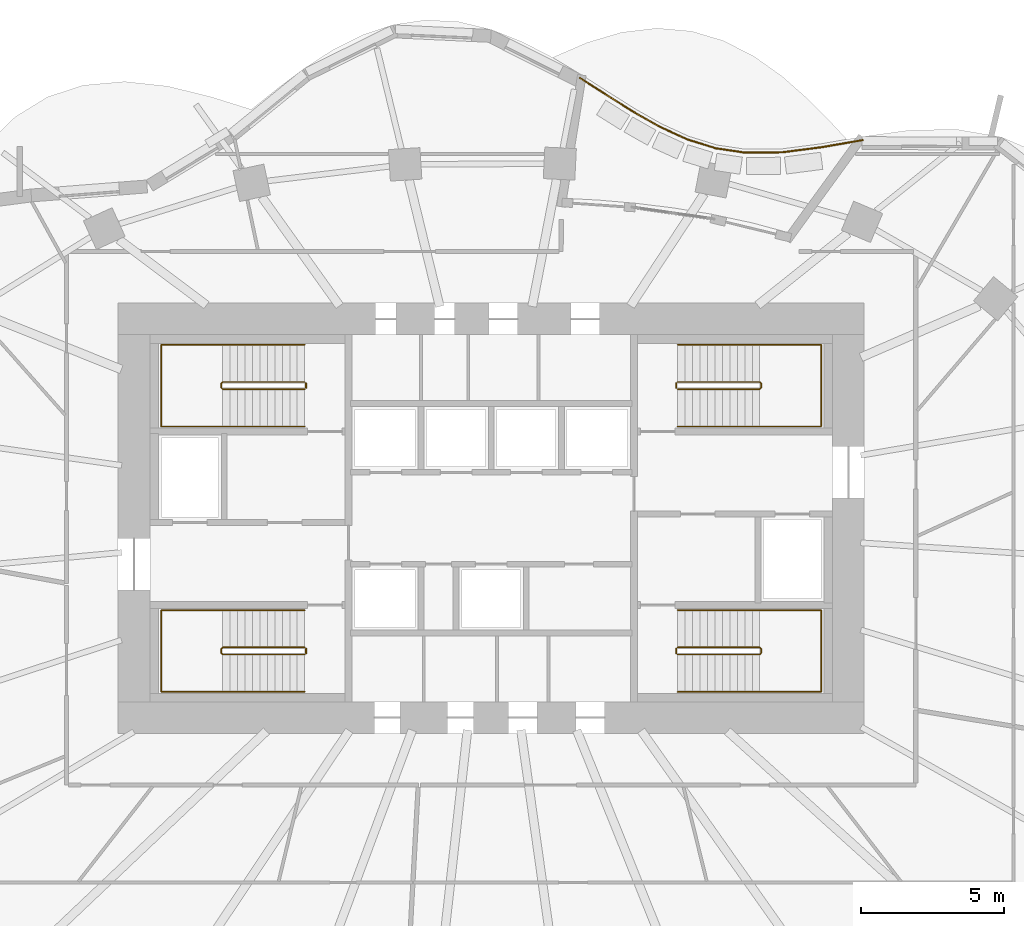
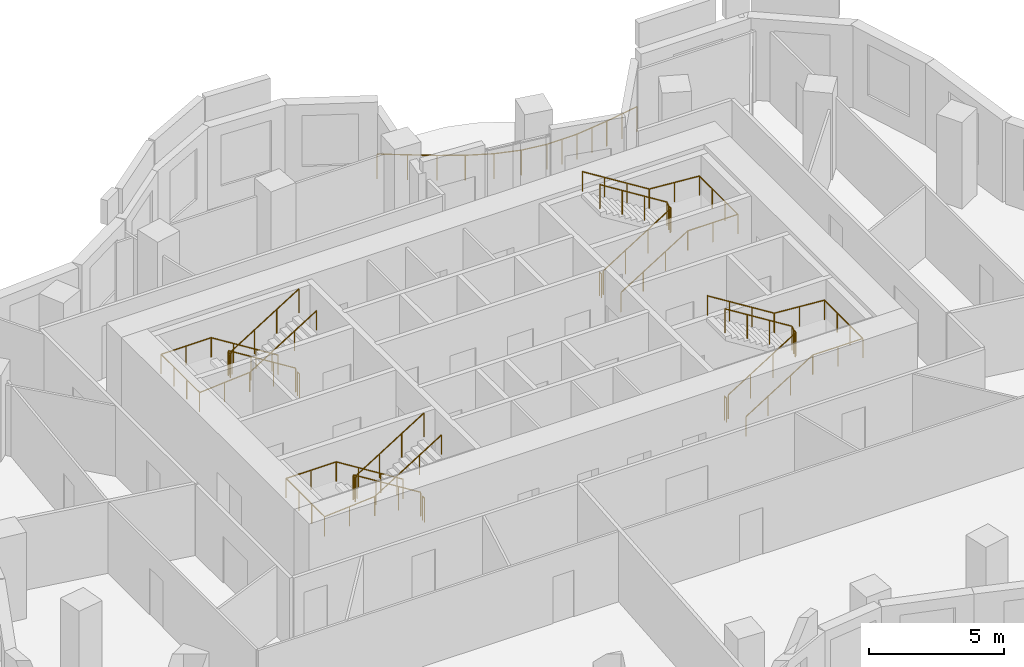
# One storey, part 11 of 11: 13 railings.
"""IFC4 building model written with IfcOpenShell, lengths in metres."""

from ifc_helpers import new_model, si_unit, direction, frame, origin, origin_2d, place, context, subcontext, project, spatial, circle, extrude, material, type_object, element, save


model = new_model("IFC4")

# Units and contexts
model_context = context("Model", 3, precision=1e-05, world=origin(), true_north=direction((0.0, 1.0)))
body_context = subcontext(model_context, "Body", "Model", "MODEL_VIEW")
ifc_project = project(units=[si_unit("LENGTHUNIT", "METRE"), si_unit("AREAUNIT", "SQUARE_METRE"), si_unit("VOLUMEUNIT", "CUBIC_METRE"), si_unit("PLANEANGLEUNIT", "RADIAN"), si_unit("MASSUNIT", "GRAM", prefix="KILO")], contexts=[model_context])

# Site, building, storey
site_placement = place(None, origin())
site = spatial("IfcSite", under=ifc_project, at=site_placement, CompositionType="ELEMENT")
building_placement = place(site_placement, origin())
building = spatial("IfcBuilding", under=site, at=building_placement, Name="Rubra Terraces Tower", CompositionType="ELEMENT")
storey_placement = place(building_placement, frame((0.0, 0.0, 146.10009765625)))
storey = spatial("IfcBuildingStorey", under=building, at=storey_placement, Name="L35", CompositionType="ELEMENT", Elevation=146.10009765625)

# Railings
ifc_material_1 = material(Name="Stainless steel", Category="steel")
railing_type_1 = type_object("IfcRailingType", Name="Core stair guard 1100", PredefinedType="GUARDRAIL", material=ifc_material_1)
railing_1_placement = place(storey_placement, frame((-6.5, 0.0, 0.162353515625)))
element("IfcRailing", 1, at=railing_1_placement, inside=storey, type_object=railing_type_1, Name="L35 stair S1 guard 1", PredefinedType="GUARDRAIL", context=body_context, shape_type="SweptSolid", body=[
    extrude(circle(Radius=0.02392578125, at=origin_2d()), frame((0.0, 0.0, 1.076171875), z_axis=(-0.847994237388, 0.0, 0.530005446535), x_axis=(0.0, -1.0, 0.0)), (0.0, 0.0, 1.0), 3.372802734375),
    extrude(circle(Radius=0.02392578125, at=origin_2d()), frame((-2.860107421875, 0.0, 2.86376953125), z_axis=(-0.705375805398, -0.708833529934, 0.0), x_axis=(0.708833529934, -0.705375805398, 0.0)), (0.0, 0.0, 1.0), 0.070556640625),
    extrude(circle(Radius=0.02392578125, at=origin_2d()), frame((-2.909912109375, -0.050048828125, 2.86376953125), z_axis=(0.0, -1.0, 0.0), x_axis=(1.0, 0.0, 0.0)), (0.0, 0.0, 1.0), 0.14990234375),
    extrude(circle(Radius=0.02392578125, at=origin_2d()), frame((-2.909912109375, -0.199951171875, 2.86376953125), z_axis=(0.281314826061, -0.282693820306, 0.917031173188), x_axis=(0.708833529934, 0.705375805398, 0.0)), (0.0, 0.0, 1.0), 0.177001953125),
    extrude(circle(Radius=0.02392578125, at=origin_2d()), frame((-2.860107421875, -0.25, 3.02587890625), z_axis=(0.847994237388, 0.0, 0.530005446535), x_axis=(0.0, 1.0, 0.0)), (0.0, 0.0, 1.0), 3.372802734375),
    extrude(circle(Radius=0.02099609375, at=origin_2d()), origin(), (0.0, 0.0, 1.0), 1.052001953125),
    extrude(circle(Radius=0.02099609375, at=origin_2d()), frame((-0.953369140625, 0.0, 0.595947265625)), (0.0, 0.0, 1.0), 1.052001953125),
    extrude(circle(Radius=0.02099609375, at=origin_2d()), frame((-1.90673828125, 0.0, 1.191650390625)), (0.0, 0.0, 1.0), 1.052001953125),
    extrude(circle(Radius=0.02099609375, at=origin_2d()), frame((-2.860107421875, 0.0, 1.78759765625)), (0.0, 0.0, 1.0), 1.052001953125),
    extrude(circle(Radius=0.02099609375, at=origin_2d()), frame((-2.909912109375, -0.050048828125, 1.78759765625)), (0.0, 0.0, 1.0), 1.052001953125),
    extrude(circle(Radius=0.02099609375, at=origin_2d()), frame((-2.909912109375, -0.199951171875, 1.78759765625)), (0.0, 0.0, 1.0), 1.052001953125),
    extrude(circle(Radius=0.02099609375, at=origin_2d()), frame((-2.860107421875, -0.25, 1.949951171875)), (0.0, 0.0, 1.0), 1.052001953125),
    extrude(circle(Radius=0.02099609375, at=origin_2d()), frame((-1.90673828125, -0.25, 2.5458984375)), (0.0, 0.0, 1.0), 1.052001953125),
    extrude(circle(Radius=0.02099609375, at=origin_2d()), frame((-0.953369140625, -0.25, 3.1416015625)), (0.0, 0.0, 1.0), 1.052001953125),
    extrude(circle(Radius=0.02099609375, at=origin_2d()), frame((0.0, -0.25, 3.737548828125)), (0.0, 0.0, 1.0), 1.052001953125),
])
railing_2_placement = place(storey_placement, frame((-6.449951171875, -0.050048828125, 0.0)))
element("IfcRailing", 2, at=railing_2_placement, inside=storey, type_object=railing_type_1, Name="L35 stair S1 guard 2", PredefinedType="GUARDRAIL", context=body_context, shape_type="SweptSolid", body=[
    extrude(circle(Radius=0.02392578125, at=origin_2d()), frame((0.0, 0.0, 1.076171875), z_axis=(0.0, -1.0, 0.0), x_axis=(1.0, 0.0, 0.0)), (0.0, 0.0, 1.0), 0.14990234375),
    extrude(circle(Radius=0.02099609375, at=origin_2d()), origin(), (0.0, 0.0, 1.0), 1.052001953125),
    extrude(circle(Radius=0.02099609375, at=origin_2d()), frame((0.0, -0.14990234375, 0.0)), (0.0, 0.0, 1.0), 1.052001953125),
])
railing_3_placement = place(storey_placement, frame((-6.5, 9.25, 0.162353515625)))
element("IfcRailing", 3, at=railing_3_placement, inside=storey, type_object=railing_type_1, Name="L35 stair S2 guard 1", PredefinedType="GUARDRAIL", context=body_context, shape_type="SweptSolid", body=[
    extrude(circle(Radius=0.02392578125, at=origin_2d()), frame((0.0, 0.0, 1.076171875), z_axis=(-0.847994237388, 0.0, 0.530005446535), x_axis=(0.0, -1.0, 0.0)), (0.0, 0.0, 1.0), 3.372802734375),
    extrude(circle(Radius=0.02392578125, at=origin_2d()), frame((-2.860107421875, 0.0, 2.86376953125), z_axis=(-0.705375805398, -0.708833529934, 0.0), x_axis=(0.708833529934, -0.705375805398, 0.0)), (0.0, 0.0, 1.0), 0.070556640625),
    extrude(circle(Radius=0.02392578125, at=origin_2d()), frame((-2.909912109375, -0.050048828125, 2.86376953125), z_axis=(0.0, -1.0, 0.0), x_axis=(1.0, 0.0, 0.0)), (0.0, 0.0, 1.0), 0.14990234375),
    extrude(circle(Radius=0.02392578125, at=origin_2d()), frame((-2.909912109375, -0.199951171875, 2.86376953125), z_axis=(0.281314826061, -0.282693820306, 0.917031173188), x_axis=(0.708833529934, 0.705375805398, 0.0)), (0.0, 0.0, 1.0), 0.177001953125),
    extrude(circle(Radius=0.02392578125, at=origin_2d()), frame((-2.860107421875, -0.25, 3.02587890625), z_axis=(0.847994237388, 0.0, 0.530005446535), x_axis=(0.0, 1.0, 0.0)), (0.0, 0.0, 1.0), 3.372802734375),
    extrude(circle(Radius=0.02099609375, at=origin_2d()), origin(), (0.0, 0.0, 1.0), 1.052001953125),
    extrude(circle(Radius=0.02099609375, at=origin_2d()), frame((-0.953369140625, 0.0, 0.595947265625)), (0.0, 0.0, 1.0), 1.052001953125),
    extrude(circle(Radius=0.02099609375, at=origin_2d()), frame((-1.90673828125, 0.0, 1.191650390625)), (0.0, 0.0, 1.0), 1.052001953125),
    extrude(circle(Radius=0.02099609375, at=origin_2d()), frame((-2.860107421875, 0.0, 1.78759765625)), (0.0, 0.0, 1.0), 1.052001953125),
    extrude(circle(Radius=0.02099609375, at=origin_2d()), frame((-2.909912109375, -0.050048828125, 1.78759765625)), (0.0, 0.0, 1.0), 1.052001953125),
    extrude(circle(Radius=0.02099609375, at=origin_2d()), frame((-2.909912109375, -0.199951171875, 1.78759765625)), (0.0, 0.0, 1.0), 1.052001953125),
    extrude(circle(Radius=0.02099609375, at=origin_2d()), frame((-2.860107421875, -0.25, 1.949951171875)), (0.0, 0.0, 1.0), 1.052001953125),
    extrude(circle(Radius=0.02099609375, at=origin_2d()), frame((-1.90673828125, -0.25, 2.5458984375)), (0.0, 0.0, 1.0), 1.052001953125),
    extrude(circle(Radius=0.02099609375, at=origin_2d()), frame((-0.953369140625, -0.25, 3.1416015625)), (0.0, 0.0, 1.0), 1.052001953125),
    extrude(circle(Radius=0.02099609375, at=origin_2d()), frame((0.0, -0.25, 3.737548828125)), (0.0, 0.0, 1.0), 1.052001953125),
])
railing_4_placement = place(storey_placement, frame((-6.449951171875, 9.199951171875, 0.0)))
element("IfcRailing", 4, at=railing_4_placement, inside=storey, type_object=railing_type_1, Name="L35 stair S2 guard 2", PredefinedType="GUARDRAIL", context=body_context, shape_type="SweptSolid", body=[
    extrude(circle(Radius=0.02392578125, at=origin_2d()), frame((0.0, 0.0, 1.076171875), z_axis=(0.0, -1.0, 0.0), x_axis=(1.0, 0.0, 0.0)), (0.0, 0.0, 1.0), 0.14990234375),
    extrude(circle(Radius=0.02099609375, at=origin_2d()), origin(), (0.0, 0.0, 1.0), 1.052001953125),
    extrude(circle(Radius=0.02099609375, at=origin_2d()), frame((0.0, -0.14990234375, 0.0)), (0.0, 0.0, 1.0), 1.052001953125),
])
railing_5_placement = place(storey_placement, frame((6.5, 9.0, 0.162353515625)))
element("IfcRailing", 5, at=railing_5_placement, inside=storey, type_object=railing_type_1, Name="L35 stair S3 guard 1", PredefinedType="GUARDRAIL", context=body_context, shape_type="SweptSolid", body=[
    extrude(circle(Radius=0.02392578125, at=origin_2d()), frame((0.0, 0.0, 1.076171875), z_axis=(0.847994237388, 0.0, 0.530005446535), x_axis=(0.0, 1.0, 0.0)), (0.0, 0.0, 1.0), 3.372802734375),
    extrude(circle(Radius=0.02392578125, at=origin_2d()), frame((2.860107421875, 0.0, 2.86376953125), z_axis=(0.705375805398, 0.708833529934, 0.0), x_axis=(-0.708833529934, 0.705375805398, 0.0)), (0.0, 0.0, 1.0), 0.070556640625),
    extrude(circle(Radius=0.02392578125, at=origin_2d()), frame((2.909912109375, 0.050048828125, 2.86376953125), z_axis=(0.0, 1.0, 0.0), x_axis=(-1.0, 0.0, 0.0)), (0.0, 0.0, 1.0), 0.14990234375),
    extrude(circle(Radius=0.02392578125, at=origin_2d()), frame((2.909912109375, 0.199951171875, 2.86376953125), z_axis=(-0.281314826061, 0.282693820306, 0.917031173188), x_axis=(-0.708833529934, -0.705375805398, 0.0)), (0.0, 0.0, 1.0), 0.177001953125),
    extrude(circle(Radius=0.02392578125, at=origin_2d()), frame((2.860107421875, 0.25, 3.02587890625), z_axis=(-0.847994237388, 0.0, 0.530005446535), x_axis=(0.0, -1.0, 0.0)), (0.0, 0.0, 1.0), 3.372802734375),
    extrude(circle(Radius=0.02099609375, at=origin_2d()), origin(), (0.0, 0.0, 1.0), 1.052001953125),
    extrude(circle(Radius=0.02099609375, at=origin_2d()), frame((0.953369140625, 0.0, 0.595947265625)), (0.0, 0.0, 1.0), 1.052001953125),
    extrude(circle(Radius=0.02099609375, at=origin_2d()), frame((1.90673828125, 0.0, 1.191650390625)), (0.0, 0.0, 1.0), 1.052001953125),
    extrude(circle(Radius=0.02099609375, at=origin_2d()), frame((2.860107421875, 0.0, 1.78759765625)), (0.0, 0.0, 1.0), 1.052001953125),
    extrude(circle(Radius=0.02099609375, at=origin_2d()), frame((2.909912109375, 0.050048828125, 1.78759765625)), (0.0, 0.0, 1.0), 1.052001953125),
    extrude(circle(Radius=0.02099609375, at=origin_2d()), frame((2.909912109375, 0.199951171875, 1.78759765625)), (0.0, 0.0, 1.0), 1.052001953125),
    extrude(circle(Radius=0.02099609375, at=origin_2d()), frame((2.860107421875, 0.25, 1.949951171875)), (0.0, 0.0, 1.0), 1.052001953125),
    extrude(circle(Radius=0.02099609375, at=origin_2d()), frame((1.90673828125, 0.25, 2.5458984375)), (0.0, 0.0, 1.0), 1.052001953125),
    extrude(circle(Radius=0.02099609375, at=origin_2d()), frame((0.953369140625, 0.25, 3.1416015625)), (0.0, 0.0, 1.0), 1.052001953125),
    extrude(circle(Radius=0.02099609375, at=origin_2d()), frame((0.0, 0.25, 3.737548828125)), (0.0, 0.0, 1.0), 1.052001953125),
])
railing_6_placement = place(storey_placement, frame((6.449951171875, 9.050048828125, 0.0)))
element("IfcRailing", 6, at=railing_6_placement, inside=storey, type_object=railing_type_1, Name="L35 stair S3 guard 2", PredefinedType="GUARDRAIL", context=body_context, shape_type="SweptSolid", body=[
    extrude(circle(Radius=0.02392578125, at=origin_2d()), frame((0.0, 0.0, 1.076171875), z_axis=(0.0, 1.0, 0.0), x_axis=(-1.0, 0.0, 0.0)), (0.0, 0.0, 1.0), 0.14990234375),
    extrude(circle(Radius=0.02099609375, at=origin_2d()), origin(), (0.0, 0.0, 1.0), 1.052001953125),
    extrude(circle(Radius=0.02099609375, at=origin_2d()), frame((0.0, 0.14990234375, 0.0)), (0.0, 0.0, 1.0), 1.052001953125),
])
railing_7_placement = place(storey_placement, frame((6.5, -0.25, 0.162353515625)))
element("IfcRailing", 7, at=railing_7_placement, inside=storey, type_object=railing_type_1, Name="L35 stair S4 guard 1", PredefinedType="GUARDRAIL", context=body_context, shape_type="SweptSolid", body=[
    extrude(circle(Radius=0.02392578125, at=origin_2d()), frame((0.0, 0.0, 1.076171875), z_axis=(0.847994237388, 0.0, 0.530005446535), x_axis=(0.0, 1.0, 0.0)), (0.0, 0.0, 1.0), 3.372802734375),
    extrude(circle(Radius=0.02392578125, at=origin_2d()), frame((2.860107421875, 0.0, 2.86376953125), z_axis=(0.705375805398, 0.708833529934, 0.0), x_axis=(-0.708833529934, 0.705375805398, 0.0)), (0.0, 0.0, 1.0), 0.070556640625),
    extrude(circle(Radius=0.02392578125, at=origin_2d()), frame((2.909912109375, 0.050048828125, 2.86376953125), z_axis=(0.0, 1.0, 0.0), x_axis=(-1.0, 0.0, 0.0)), (0.0, 0.0, 1.0), 0.14990234375),
    extrude(circle(Radius=0.02392578125, at=origin_2d()), frame((2.909912109375, 0.199951171875, 2.86376953125), z_axis=(-0.281314826061, 0.282693820306, 0.917031173188), x_axis=(-0.708833529934, -0.705375805398, 0.0)), (0.0, 0.0, 1.0), 0.177001953125),
    extrude(circle(Radius=0.02392578125, at=origin_2d()), frame((2.860107421875, 0.25, 3.02587890625), z_axis=(-0.847994237388, 0.0, 0.530005446535), x_axis=(0.0, -1.0, 0.0)), (0.0, 0.0, 1.0), 3.372802734375),
    extrude(circle(Radius=0.02099609375, at=origin_2d()), origin(), (0.0, 0.0, 1.0), 1.052001953125),
    extrude(circle(Radius=0.02099609375, at=origin_2d()), frame((0.953369140625, 0.0, 0.595947265625)), (0.0, 0.0, 1.0), 1.052001953125),
    extrude(circle(Radius=0.02099609375, at=origin_2d()), frame((1.90673828125, 0.0, 1.191650390625)), (0.0, 0.0, 1.0), 1.052001953125),
    extrude(circle(Radius=0.02099609375, at=origin_2d()), frame((2.860107421875, 0.0, 1.78759765625)), (0.0, 0.0, 1.0), 1.052001953125),
    extrude(circle(Radius=0.02099609375, at=origin_2d()), frame((2.909912109375, 0.050048828125, 1.78759765625)), (0.0, 0.0, 1.0), 1.052001953125),
    extrude(circle(Radius=0.02099609375, at=origin_2d()), frame((2.909912109375, 0.199951171875, 1.78759765625)), (0.0, 0.0, 1.0), 1.052001953125),
    extrude(circle(Radius=0.02099609375, at=origin_2d()), frame((2.860107421875, 0.25, 1.949951171875)), (0.0, 0.0, 1.0), 1.052001953125),
    extrude(circle(Radius=0.02099609375, at=origin_2d()), frame((1.90673828125, 0.25, 2.5458984375)), (0.0, 0.0, 1.0), 1.052001953125),
    extrude(circle(Radius=0.02099609375, at=origin_2d()), frame((0.953369140625, 0.25, 3.1416015625)), (0.0, 0.0, 1.0), 1.052001953125),
    extrude(circle(Radius=0.02099609375, at=origin_2d()), frame((0.0, 0.25, 3.737548828125)), (0.0, 0.0, 1.0), 1.052001953125),
])
railing_8_placement = place(storey_placement, frame((6.449951171875, -0.199951171875, 0.0)))
element("IfcRailing", 8, at=railing_8_placement, inside=storey, type_object=railing_type_1, Name="L35 stair S4 guard 2", PredefinedType="GUARDRAIL", context=body_context, shape_type="SweptSolid", body=[
    extrude(circle(Radius=0.02392578125, at=origin_2d()), frame((0.0, 0.0, 1.076171875), z_axis=(0.0, 1.0, 0.0), x_axis=(-1.0, 0.0, 0.0)), (0.0, 0.0, 1.0), 0.14990234375),
    extrude(circle(Radius=0.02099609375, at=origin_2d()), origin(), (0.0, 0.0, 1.0), 1.052001953125),
    extrude(circle(Radius=0.02099609375, at=origin_2d()), frame((0.0, 0.14990234375, 0.0)), (0.0, 0.0, 1.0), 1.052001953125),
])
railing_type_2 = type_object("IfcRailingType", Name="Core stair handrail 900", PredefinedType="HANDRAIL", material=ifc_material_1)
railing_9_placement = place(storey_placement, frame((-6.5, 1.300048828125, 0.162353515625)))
element("IfcRailing", 9, at=railing_9_placement, inside=storey, type_object=railing_type_2, Name="L35 stair S1 handrail 1", PredefinedType="HANDRAIL", context=body_context, shape_type="SweptSolid", body=[
    extrude(circle(Radius=0.02392578125, at=origin_2d()), frame((0.0, 0.0, 0.8759765625), z_axis=(-0.847994237388, 0.0, 0.530005446535), x_axis=(0.0, -1.0, 0.0)), (0.0, 0.0, 1.0), 3.372802734375),
    extrude(circle(Radius=0.02392578125, at=origin_2d()), frame((-2.860107421875, 0.0, 2.66357421875), z_axis=(-1.0, 0.0, 0.0), x_axis=(0.0, -1.0, 0.0)), (0.0, 0.0, 1.0), 2.139892578125),
    extrude(circle(Radius=0.02392578125, at=origin_2d()), frame((-5.0, 0.0, 2.66357421875), z_axis=(0.0, -1.0, 0.0), x_axis=(1.0, 0.0, 0.0)), (0.0, 0.0, 1.0), 2.85009765625),
    extrude(circle(Radius=0.02392578125, at=origin_2d()), frame((-5.0, -2.85009765625, 2.66357421875), z_axis=(0.9971342424, 0.0, 0.075652512401), x_axis=(0.0, 1.0, 0.0)), (0.0, 0.0, 1.0), 2.14599609375),
    extrude(circle(Radius=0.02392578125, at=origin_2d()), frame((-2.860107421875, -2.85009765625, 2.82568359375), z_axis=(0.847994237388, 0.0, 0.530005446535), x_axis=(0.0, 1.0, 0.0)), (0.0, 0.0, 1.0), 3.372802734375),
    extrude(circle(Radius=0.02099609375, at=origin_2d()), origin(), (0.0, 0.0, 1.0), 0.851806640625),
    extrude(circle(Radius=0.02099609375, at=origin_2d()), frame((-0.953369140625, 0.0, 0.595947265625)), (0.0, 0.0, 1.0), 0.851806640625),
    extrude(circle(Radius=0.02099609375, at=origin_2d()), frame((-1.90673828125, 0.0, 1.191650390625)), (0.0, 0.0, 1.0), 0.851806640625),
    extrude(circle(Radius=0.02099609375, at=origin_2d()), frame((-2.860107421875, 0.0, 1.78759765625)), (0.0, 0.0, 1.0), 0.851806640625),
    extrude(circle(Radius=0.02099609375, at=origin_2d()), frame((-3.93017578125, 0.0, 1.78759765625)), (0.0, 0.0, 1.0), 0.851806640625),
    extrude(circle(Radius=0.02099609375, at=origin_2d()), frame((-5.0, 0.0, 1.78759765625)), (0.0, 0.0, 1.0), 0.851806640625),
    extrude(circle(Radius=0.02099609375, at=origin_2d()), frame((-5.0, -0.949951171875, 1.78759765625)), (0.0, 0.0, 1.0), 0.851806640625),
    extrude(circle(Radius=0.02099609375, at=origin_2d()), frame((-5.0, -1.900146484375, 1.78759765625)), (0.0, 0.0, 1.0), 0.851806640625),
    extrude(circle(Radius=0.02099609375, at=origin_2d()), frame((-5.0, -2.85009765625, 1.78759765625)), (0.0, 0.0, 1.0), 0.851806640625),
    extrude(circle(Radius=0.02099609375, at=origin_2d()), frame((-3.93017578125, -2.85009765625, 1.86865234375)), (0.0, 0.0, 1.0), 0.851806640625),
    extrude(circle(Radius=0.02099609375, at=origin_2d()), frame((-2.860107421875, -2.85009765625, 1.949951171875)), (0.0, 0.0, 1.0), 0.851806640625),
    extrude(circle(Radius=0.02099609375, at=origin_2d()), frame((-1.90673828125, -2.85009765625, 2.5458984375)), (0.0, 0.0, 1.0), 0.851806640625),
    extrude(circle(Radius=0.02099609375, at=origin_2d()), frame((-0.953369140625, -2.85009765625, 3.1416015625)), (0.0, 0.0, 1.0), 0.851806640625),
    extrude(circle(Radius=0.02099609375, at=origin_2d()), frame((0.0, -2.85009765625, 3.737548828125)), (0.0, 0.0, 1.0), 0.851806640625),
])
railing_10_placement = place(storey_placement, frame((-6.5, 10.550048828125, 0.162353515625)))
element("IfcRailing", 10, at=railing_10_placement, inside=storey, type_object=railing_type_2, Name="L35 stair S2 handrail 1", PredefinedType="HANDRAIL", context=body_context, shape_type="SweptSolid", body=[
    extrude(circle(Radius=0.02392578125, at=origin_2d()), frame((0.0, 0.0, 0.8759765625), z_axis=(-0.847994237388, 0.0, 0.530005446535), x_axis=(0.0, -1.0, 0.0)), (0.0, 0.0, 1.0), 3.372802734375),
    extrude(circle(Radius=0.02392578125, at=origin_2d()), frame((-2.860107421875, 0.0, 2.66357421875), z_axis=(-1.0, 0.0, 0.0), x_axis=(0.0, -1.0, 0.0)), (0.0, 0.0, 1.0), 2.139892578125),
    extrude(circle(Radius=0.02392578125, at=origin_2d()), frame((-5.0, 0.0, 2.66357421875), z_axis=(0.0, -1.0, 0.0), x_axis=(1.0, 0.0, 0.0)), (0.0, 0.0, 1.0), 2.85009765625),
    extrude(circle(Radius=0.02392578125, at=origin_2d()), frame((-5.0, -2.85009765625, 2.66357421875), z_axis=(0.9971342424, 0.0, 0.075652512401), x_axis=(0.0, 1.0, 0.0)), (0.0, 0.0, 1.0), 2.14599609375),
    extrude(circle(Radius=0.02392578125, at=origin_2d()), frame((-2.860107421875, -2.85009765625, 2.82568359375), z_axis=(0.847994237388, 0.0, 0.530005446535), x_axis=(0.0, 1.0, 0.0)), (0.0, 0.0, 1.0), 3.372802734375),
    extrude(circle(Radius=0.02099609375, at=origin_2d()), origin(), (0.0, 0.0, 1.0), 0.851806640625),
    extrude(circle(Radius=0.02099609375, at=origin_2d()), frame((-0.953369140625, 0.0, 0.595947265625)), (0.0, 0.0, 1.0), 0.851806640625),
    extrude(circle(Radius=0.02099609375, at=origin_2d()), frame((-1.90673828125, 0.0, 1.191650390625)), (0.0, 0.0, 1.0), 0.851806640625),
    extrude(circle(Radius=0.02099609375, at=origin_2d()), frame((-2.860107421875, 0.0, 1.78759765625)), (0.0, 0.0, 1.0), 0.851806640625),
    extrude(circle(Radius=0.02099609375, at=origin_2d()), frame((-3.93017578125, 0.0, 1.78759765625)), (0.0, 0.0, 1.0), 0.851806640625),
    extrude(circle(Radius=0.02099609375, at=origin_2d()), frame((-5.0, 0.0, 1.78759765625)), (0.0, 0.0, 1.0), 0.851806640625),
    extrude(circle(Radius=0.02099609375, at=origin_2d()), frame((-5.0, -0.949951171875, 1.78759765625)), (0.0, 0.0, 1.0), 0.851806640625),
    extrude(circle(Radius=0.02099609375, at=origin_2d()), frame((-5.0, -1.900146484375, 1.78759765625)), (0.0, 0.0, 1.0), 0.851806640625),
    extrude(circle(Radius=0.02099609375, at=origin_2d()), frame((-5.0, -2.85009765625, 1.78759765625)), (0.0, 0.0, 1.0), 0.851806640625),
    extrude(circle(Radius=0.02099609375, at=origin_2d()), frame((-3.93017578125, -2.85009765625, 1.86865234375)), (0.0, 0.0, 1.0), 0.851806640625),
    extrude(circle(Radius=0.02099609375, at=origin_2d()), frame((-2.860107421875, -2.85009765625, 1.949951171875)), (0.0, 0.0, 1.0), 0.851806640625),
    extrude(circle(Radius=0.02099609375, at=origin_2d()), frame((-1.90673828125, -2.85009765625, 2.5458984375)), (0.0, 0.0, 1.0), 0.851806640625),
    extrude(circle(Radius=0.02099609375, at=origin_2d()), frame((-0.953369140625, -2.85009765625, 3.1416015625)), (0.0, 0.0, 1.0), 0.851806640625),
    extrude(circle(Radius=0.02099609375, at=origin_2d()), frame((0.0, -2.85009765625, 3.737548828125)), (0.0, 0.0, 1.0), 0.851806640625),
])
railing_11_placement = place(storey_placement, frame((6.5, 7.699951171875, 0.162353515625)))
element("IfcRailing", 11, at=railing_11_placement, inside=storey, type_object=railing_type_2, Name="L35 stair S3 handrail 1", PredefinedType="HANDRAIL", context=body_context, shape_type="SweptSolid", body=[
    extrude(circle(Radius=0.02392578125, at=origin_2d()), frame((0.0, 0.0, 0.8759765625), z_axis=(0.847994237388, 0.0, 0.530005446535), x_axis=(0.0, 1.0, 0.0)), (0.0, 0.0, 1.0), 3.372802734375),
    extrude(circle(Radius=0.02392578125, at=origin_2d()), frame((2.860107421875, 0.0, 2.66357421875), z_axis=(1.0, 0.0, 0.0), x_axis=(0.0, 1.0, 0.0)), (0.0, 0.0, 1.0), 2.139892578125),
    extrude(circle(Radius=0.02392578125, at=origin_2d()), frame((5.0, 0.0, 2.66357421875), z_axis=(0.0, 1.0, 0.0), x_axis=(-1.0, 0.0, 0.0)), (0.0, 0.0, 1.0), 2.85009765625),
    extrude(circle(Radius=0.02392578125, at=origin_2d()), frame((5.0, 2.85009765625, 2.66357421875), z_axis=(-0.9971342424, 0.0, 0.075652512401), x_axis=(0.0, -1.0, 0.0)), (0.0, 0.0, 1.0), 2.14599609375),
    extrude(circle(Radius=0.02392578125, at=origin_2d()), frame((2.860107421875, 2.85009765625, 2.82568359375), z_axis=(-0.847994237388, 0.0, 0.530005446535), x_axis=(0.0, -1.0, 0.0)), (0.0, 0.0, 1.0), 3.372802734375),
    extrude(circle(Radius=0.02099609375, at=origin_2d()), origin(), (0.0, 0.0, 1.0), 0.851806640625),
    extrude(circle(Radius=0.02099609375, at=origin_2d()), frame((0.953369140625, 0.0, 0.595947265625)), (0.0, 0.0, 1.0), 0.851806640625),
    extrude(circle(Radius=0.02099609375, at=origin_2d()), frame((1.90673828125, 0.0, 1.191650390625)), (0.0, 0.0, 1.0), 0.851806640625),
    extrude(circle(Radius=0.02099609375, at=origin_2d()), frame((2.860107421875, 0.0, 1.78759765625)), (0.0, 0.0, 1.0), 0.851806640625),
    extrude(circle(Radius=0.02099609375, at=origin_2d()), frame((3.93017578125, 0.0, 1.78759765625)), (0.0, 0.0, 1.0), 0.851806640625),
    extrude(circle(Radius=0.02099609375, at=origin_2d()), frame((5.0, 0.0, 1.78759765625)), (0.0, 0.0, 1.0), 0.851806640625),
    extrude(circle(Radius=0.02099609375, at=origin_2d()), frame((5.0, 0.949951171875, 1.78759765625)), (0.0, 0.0, 1.0), 0.851806640625),
    extrude(circle(Radius=0.02099609375, at=origin_2d()), frame((5.0, 1.900146484375, 1.78759765625)), (0.0, 0.0, 1.0), 0.851806640625),
    extrude(circle(Radius=0.02099609375, at=origin_2d()), frame((5.0, 2.85009765625, 1.78759765625)), (0.0, 0.0, 1.0), 0.851806640625),
    extrude(circle(Radius=0.02099609375, at=origin_2d()), frame((3.93017578125, 2.85009765625, 1.86865234375)), (0.0, 0.0, 1.0), 0.851806640625),
    extrude(circle(Radius=0.02099609375, at=origin_2d()), frame((2.860107421875, 2.85009765625, 1.949951171875)), (0.0, 0.0, 1.0), 0.851806640625),
    extrude(circle(Radius=0.02099609375, at=origin_2d()), frame((1.90673828125, 2.85009765625, 2.5458984375)), (0.0, 0.0, 1.0), 0.851806640625),
    extrude(circle(Radius=0.02099609375, at=origin_2d()), frame((0.953369140625, 2.85009765625, 3.1416015625)), (0.0, 0.0, 1.0), 0.851806640625),
    extrude(circle(Radius=0.02099609375, at=origin_2d()), frame((0.0, 2.85009765625, 3.737548828125)), (0.0, 0.0, 1.0), 0.851806640625),
])
railing_12_placement = place(storey_placement, frame((6.5, -1.550048828125, 0.162353515625)))
element("IfcRailing", 12, at=railing_12_placement, inside=storey, type_object=railing_type_2, Name="L35 stair S4 handrail 1", PredefinedType="HANDRAIL", context=body_context, shape_type="SweptSolid", body=[
    extrude(circle(Radius=0.02392578125, at=origin_2d()), frame((0.0, 0.0, 0.8759765625), z_axis=(0.847994237388, 0.0, 0.530005446535), x_axis=(0.0, 1.0, 0.0)), (0.0, 0.0, 1.0), 3.372802734375),
    extrude(circle(Radius=0.02392578125, at=origin_2d()), frame((2.860107421875, 0.0, 2.66357421875), z_axis=(1.0, 0.0, 0.0), x_axis=(0.0, 1.0, 0.0)), (0.0, 0.0, 1.0), 2.139892578125),
    extrude(circle(Radius=0.02392578125, at=origin_2d()), frame((5.0, 0.0, 2.66357421875), z_axis=(0.0, 1.0, 0.0), x_axis=(-1.0, 0.0, 0.0)), (0.0, 0.0, 1.0), 2.85009765625),
    extrude(circle(Radius=0.02392578125, at=origin_2d()), frame((5.0, 2.85009765625, 2.66357421875), z_axis=(-0.9971342424, 0.0, 0.075652512401), x_axis=(0.0, -1.0, 0.0)), (0.0, 0.0, 1.0), 2.14599609375),
    extrude(circle(Radius=0.02392578125, at=origin_2d()), frame((2.860107421875, 2.85009765625, 2.82568359375), z_axis=(-0.847994237388, 0.0, 0.530005446535), x_axis=(0.0, -1.0, 0.0)), (0.0, 0.0, 1.0), 3.372802734375),
    extrude(circle(Radius=0.02099609375, at=origin_2d()), origin(), (0.0, 0.0, 1.0), 0.851806640625),
    extrude(circle(Radius=0.02099609375, at=origin_2d()), frame((0.953369140625, 0.0, 0.595947265625)), (0.0, 0.0, 1.0), 0.851806640625),
    extrude(circle(Radius=0.02099609375, at=origin_2d()), frame((1.90673828125, 0.0, 1.191650390625)), (0.0, 0.0, 1.0), 0.851806640625),
    extrude(circle(Radius=0.02099609375, at=origin_2d()), frame((2.860107421875, 0.0, 1.78759765625)), (0.0, 0.0, 1.0), 0.851806640625),
    extrude(circle(Radius=0.02099609375, at=origin_2d()), frame((3.93017578125, 0.0, 1.78759765625)), (0.0, 0.0, 1.0), 0.851806640625),
    extrude(circle(Radius=0.02099609375, at=origin_2d()), frame((5.0, 0.0, 1.78759765625)), (0.0, 0.0, 1.0), 0.851806640625),
    extrude(circle(Radius=0.02099609375, at=origin_2d()), frame((5.0, 0.949951171875, 1.78759765625)), (0.0, 0.0, 1.0), 0.851806640625),
    extrude(circle(Radius=0.02099609375, at=origin_2d()), frame((5.0, 1.900146484375, 1.78759765625)), (0.0, 0.0, 1.0), 0.851806640625),
    extrude(circle(Radius=0.02099609375, at=origin_2d()), frame((5.0, 2.85009765625, 1.78759765625)), (0.0, 0.0, 1.0), 0.851806640625),
    extrude(circle(Radius=0.02099609375, at=origin_2d()), frame((3.93017578125, 2.85009765625, 1.86865234375)), (0.0, 0.0, 1.0), 0.851806640625),
    extrude(circle(Radius=0.02099609375, at=origin_2d()), frame((2.860107421875, 2.85009765625, 1.949951171875)), (0.0, 0.0, 1.0), 0.851806640625),
    extrude(circle(Radius=0.02099609375, at=origin_2d()), frame((1.90673828125, 2.85009765625, 2.5458984375)), (0.0, 0.0, 1.0), 0.851806640625),
    extrude(circle(Radius=0.02099609375, at=origin_2d()), frame((0.953369140625, 2.85009765625, 3.1416015625)), (0.0, 0.0, 1.0), 0.851806640625),
    extrude(circle(Radius=0.02099609375, at=origin_2d()), frame((0.0, 2.85009765625, 3.737548828125)), (0.0, 0.0, 1.0), 0.851806640625),
])
ifc_material_2 = material(Name="Steel, powder-coated dark grey", Category="steel")
railing_type_3 = type_object("IfcRailingType", Name="Terrace guard 1150", PredefinedType="GUARDRAIL", material=ifc_material_2)
railing_13_placement = place(storey_placement, frame((12.95361328125, 17.682861328125, 0.0)))
element("IfcRailing", 13, at=railing_13_placement, inside=storey, type_object=railing_type_3, Name="Terrace guard L35", PredefinedType="GUARDRAIL", context=body_context, shape_type="SweptSolid", body=[
    extrude(circle(Radius=0.02392578125, at=origin_2d()), frame((0.0, 0.0, 1.1259765625), z_axis=(-0.985358607244, -0.170494619065, 0.0), x_axis=(0.170494619065, -0.985358607244, 0.0)), (0.0, 0.0, 1.0), 1.460693359375),
    extrude(circle(Radius=0.02392578125, at=origin_2d()), frame((-1.439208984375, -0.2490234375, 1.1259765625), z_axis=(-0.991731356274, -0.128331278274, 0.0), x_axis=(0.128331278274, -0.991731356274, 0.0)), (0.0, 0.0, 1.0), 1.37744140625),
    extrude(circle(Radius=0.02392578125, at=origin_2d()), frame((-2.80517578125, -0.42578125, 1.1259765625), z_axis=(-0.999957617671, -0.009206674796, 0.0), x_axis=(0.009206674796, -0.999957617671, 0.0)), (0.0, 0.0, 1.0), 1.29931640625),
    extrude(circle(Radius=0.02392578125, at=origin_2d()), frame((-4.1044921875, -0.437744140625, 1.1259765625), z_axis=(-0.989202174451, 0.146557354168, 0.0), x_axis=(-0.146557354168, -0.989202174451, 0.0)), (0.0, 0.0, 1.0), 1.017822265625),
    extrude(circle(Radius=0.02392578125, at=origin_2d()), frame((-5.111328125, -0.28857421875, 1.1259765625), z_axis=(-0.955707248287, 0.294318969098, 0.0), x_axis=(-0.294318969098, -0.955707248287, 0.0)), (0.0, 0.0, 1.0), 1.0302734375),
    extrude(circle(Radius=0.02392578125, at=origin_2d()), frame((-6.095947265625, 0.0146484375, 1.1259765625), z_axis=(-0.909523599478, 0.415652284961, 0.0), x_axis=(-0.415652284961, -0.909523599478, 0.0)), (0.0, 0.0, 1.0), 1.07373046875),
    extrude(circle(Radius=0.02392578125, at=origin_2d()), frame((-7.072509765625, 0.4609375, 1.1259765625), z_axis=(-0.870138432716, 0.492807374043, 0.0), x_axis=(-0.492807374043, -0.870138432716, 0.0)), (0.0, 0.0, 1.0), 1.05078125),
    extrude(circle(Radius=0.02392578125, at=origin_2d()), frame((-7.98681640625, 0.978759765625, 1.1259765625), z_axis=(-0.846880640021, 0.531783021125, 0.0), x_axis=(-0.531783021125, -0.846880640021, 0.0)), (0.0, 0.0, 1.0), 1.093994140625),
    extrude(circle(Radius=0.02392578125, at=origin_2d()), frame((-8.913330078125, 1.560546875, 1.1259765625), z_axis=(-0.842413652942, 0.538831362615, 0.0), x_axis=(-0.538831362615, -0.842413652942, 0.0)), (0.0, 0.0, 1.0), 1.121826171875),
    extrude(circle(Radius=0.02099609375, at=origin_2d()), origin(), (0.0, 0.0, 1.0), 1.101806640625),
    extrude(circle(Radius=0.02099609375, at=origin_2d()), frame((-0.7197265625, -0.12451171875, 0.0)), (0.0, 0.0, 1.0), 1.101806640625),
    extrude(circle(Radius=0.02099609375, at=origin_2d()), frame((-1.439208984375, -0.2490234375, 0.0)), (0.0, 0.0, 1.0), 1.101806640625),
    extrude(circle(Radius=0.02099609375, at=origin_2d()), frame((-2.1220703125, -0.33740234375, 0.0)), (0.0, 0.0, 1.0), 1.101806640625),
    extrude(circle(Radius=0.02099609375, at=origin_2d()), frame((-2.80517578125, -0.42578125, 0.0)), (0.0, 0.0, 1.0), 1.101806640625),
    extrude(circle(Radius=0.02099609375, at=origin_2d()), frame((-3.454833984375, -0.431640625, 0.0)), (0.0, 0.0, 1.0), 1.101806640625),
    extrude(circle(Radius=0.02099609375, at=origin_2d()), frame((-4.1044921875, -0.437744140625, 0.0)), (0.0, 0.0, 1.0), 1.101806640625),
    extrude(circle(Radius=0.02099609375, at=origin_2d()), frame((-5.111328125, -0.28857421875, 0.0)), (0.0, 0.0, 1.0), 1.101806640625),
    extrude(circle(Radius=0.02099609375, at=origin_2d()), frame((-6.095947265625, 0.0146484375, 0.0)), (0.0, 0.0, 1.0), 1.101806640625),
    extrude(circle(Radius=0.02099609375, at=origin_2d()), frame((-7.072509765625, 0.4609375, 0.0)), (0.0, 0.0, 1.0), 1.101806640625),
    extrude(circle(Radius=0.02099609375, at=origin_2d()), frame((-7.98681640625, 0.978759765625, 0.0)), (0.0, 0.0, 1.0), 1.101806640625),
    extrude(circle(Radius=0.02099609375, at=origin_2d()), frame((-8.913330078125, 1.560546875, 0.0)), (0.0, 0.0, 1.0), 1.101806640625),
    extrude(circle(Radius=0.02099609375, at=origin_2d()), frame((-9.8583984375, 2.1650390625, 0.0)), (0.0, 0.0, 1.0), 1.101806640625),
])

save(model, "model.ifc")
